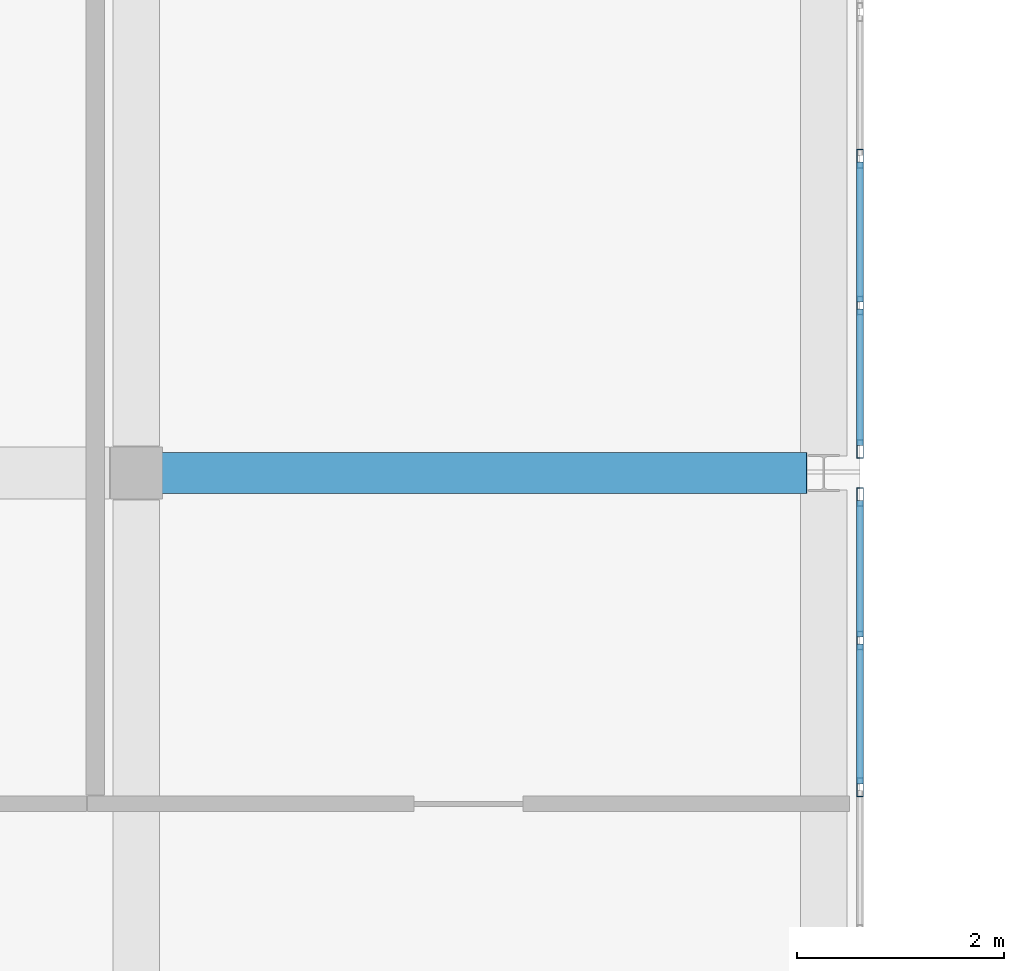
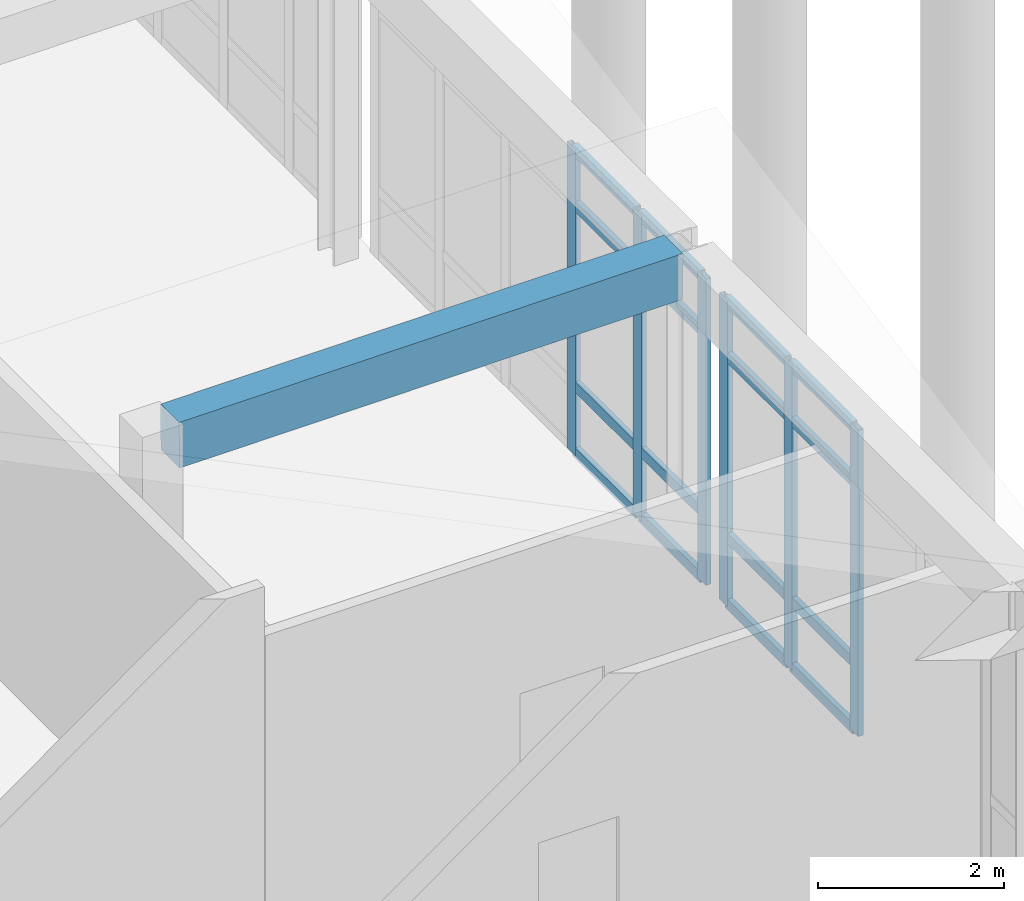
# One storey, part 106 of 173: 22 members, 1 beam, 2 elements without a shape of their own.
"""IFC4 building model written with IfcOpenShell, lengths in metres."""

from ifc_helpers import new_model, si_unit, direction, frame, origin, origin_2d, place, context, subcontext, project, spatial, rectangle, hollow_rectangle, extrude, material, layer, layer_set, material_profile, profile_set, type_object, element, aggregate, save


model = new_model("IFC4")

# Units and contexts
model_context = context("Model", 3, precision=1e-05, world=origin(), true_north=direction((0.0, 1.0)))
body_context = subcontext(model_context, "Body", "Model", "MODEL_VIEW")
ifc_project = project(units=[si_unit("LENGTHUNIT", "METRE"), si_unit("AREAUNIT", "SQUARE_METRE"), si_unit("VOLUMEUNIT", "CUBIC_METRE"), si_unit("PLANEANGLEUNIT", "RADIAN"), si_unit("MASSUNIT", "GRAM", prefix="KILO")], contexts=[model_context])

# Site, building, storey
site_placement = place(None, origin())
site = spatial("IfcSite", under=ifc_project, at=site_placement, CompositionType="ELEMENT")
building_placement = place(site_placement, origin())
building = spatial("IfcBuilding", under=site, at=building_placement, Name="Mawjan Specialist Oncology Clinic", CompositionType="ELEMENT")
storey_placement = place(building_placement, origin())
storey = spatial("IfcBuildingStorey", under=building, at=storey_placement, Name="L00", CompositionType="ELEMENT", Elevation=0.0)

# Beam
ifc_material_1 = material(Name="Concrete C40/50", Category="concrete")
ifc_material_profile_1 = material_profile(ifc_material_1, rectangle(XDim=0.39990234375, YDim=0.60009765625, at=origin_2d()), Name="RC BM 400x600", Category="concrete")
ifc_profile_set_1 = profile_set([ifc_material_profile_1], Name="Concrete C40/50")
beam_type = type_object("IfcBeamType", Name="BM-400x600", PredefinedType="BEAM", material=ifc_profile_set_1)
beam_placement = place(storey_placement, frame((132.235107421875, 60.800048828125, 4.404052734375), z_axis=(0.999989377, 0.0, 0.004609326035), x_axis=(0.0, 1.0, 0.0)))
element("IfcBeam", 1, at=beam_placement, inside=storey, type_object=beam_type, Name="L00 Roof Framing Beam BM-RF-L00-1251", PredefinedType="BEAM", context=body_context, shape_type="SweptSolid", body=[
    extrude(rectangle(XDim=0.39990234375, YDim=0.60009765625, at=origin_2d()), origin(), (0.0, 0.0, 1.0), 6.25),
])

# Curtain wall, members
ifc_material_2 = material(Name="Unitised spectrally selective aluminium curtain wall", Category="aluminium")
ifc_layer = layer(ifc_material_2, 0.179931640625, Name="Unitised spectrally selective aluminium curtain wall", Category="aluminium")
ifc_layer_set = layer_set([ifc_layer], Name="Unitised spectrally selective aluminium curtain wall")
curtain_wall_type = type_object("IfcCurtainWallType", Name="CW-19", PredefinedType="NOTDEFINED", material=ifc_layer_set)
curtain_wall_1_placement = place(storey_placement, origin())
curtain_wall_1 = element("IfcCurtainWall", 2, at=curtain_wall_1_placement, inside=storey, type_object=curtain_wall_type, Name="L00 Unitised Curtain Wall CW-L00-033", PredefinedType="NOTDEFINED")
ifc_material_3 = material(Name="Thermally broken aluminium 6063-T6", Category="aluminium")
ifc_material_profile_2 = material_profile(ifc_material_3, hollow_rectangle(XDim=0.06494140625, YDim=0.179931640625, WallThickness=0.00390625, at=origin_2d()), Name="ALU MULLION 180x65x4", Category="aluminium")
ifc_profile_set_2 = profile_set([ifc_material_profile_2], Name="Thermally broken aluminium 6063-T6")
member_type_1 = type_object("IfcMemberType", Name="CW-M180", PredefinedType="MULLION", material=ifc_profile_set_2)
member_1_placement = place(storey_placement, frame((139.0, 63.840087890625, 0.0), z_axis=(0.0, 0.0, 1.0), x_axis=(1.0, 0.0, 0.0)))
member_1 = element("IfcMember", 3, at=member_1_placement, type_object=member_type_1, Name="CW-19 mullion 4", PredefinedType="MULLION", context=body_context, shape_type="SweptSolid", body=[
    extrude(hollow_rectangle(XDim=0.06494140625, YDim=0.179931640625, WallThickness=0.00390625, at=origin_2d()), origin(), (0.0, 0.0, 1.0), 4.017822265625),
])
member_2_placement = place(storey_placement, frame((139.0, 62.419921875, 0.0), z_axis=(0.0, 0.0, 1.0), x_axis=(1.0, 0.0, 0.0)))
member_2 = element("IfcMember", 4, at=member_2_placement, type_object=member_type_1, Name="CW-19 mullion 5", PredefinedType="MULLION", context=body_context, shape_type="SweptSolid", body=[
    extrude(hollow_rectangle(XDim=0.06494140625, YDim=0.179931640625, WallThickness=0.00390625, at=origin_2d()), origin(), (0.0, 0.0, 1.0), 4.017822265625),
])
member_3_placement = place(storey_placement, frame((139.0, 61.032470703125, 0.0), z_axis=(0.0, 0.0, 1.0), x_axis=(1.0, 0.0, 0.0)))
member_3 = element("IfcMember", 5, at=member_3_placement, type_object=member_type_1, Name="CW-19 mullion 6", PredefinedType="MULLION", context=body_context, shape_type="SweptSolid", body=[
    extrude(hollow_rectangle(XDim=0.06494140625, YDim=0.179931640625, WallThickness=0.00390625, at=origin_2d()), origin(), (0.0, 0.0, 1.0), 4.017822265625),
])

curtain_wall_2_placement = place(storey_placement, origin())
curtain_wall_2 = element("IfcCurtainWall", 6, at=curtain_wall_2_placement, inside=storey, type_object=curtain_wall_type, Name="L00 Unitised Curtain Wall CW-L00-034", PredefinedType="NOTDEFINED")
member_4_placement = place(storey_placement, frame((139.0, 60.5673828125, 0.0), z_axis=(0.0, 0.0, 1.0), x_axis=(1.0, 0.0, 0.0)))
member_4 = element("IfcMember", 7, at=member_4_placement, type_object=member_type_1, Name="CW-19 mullion 1", PredefinedType="MULLION", context=body_context, shape_type="SweptSolid", body=[
    extrude(hollow_rectangle(XDim=0.06494140625, YDim=0.179931640625, WallThickness=0.00390625, at=origin_2d()), origin(), (0.0, 0.0, 1.0), 4.017822265625),
])
member_5_placement = place(storey_placement, frame((139.0, 59.179931640625, 0.0), z_axis=(0.0, 0.0, 1.0), x_axis=(1.0, 0.0, 0.0)))
member_5 = element("IfcMember", 8, at=member_5_placement, type_object=member_type_1, Name="CW-19 mullion 2", PredefinedType="MULLION", context=body_context, shape_type="SweptSolid", body=[
    extrude(hollow_rectangle(XDim=0.06494140625, YDim=0.179931640625, WallThickness=0.00390625, at=origin_2d()), origin(), (0.0, 0.0, 1.0), 4.017822265625),
])
member_6_placement = place(storey_placement, frame((139.0, 57.760009765625, 0.0), z_axis=(0.0, 0.0, 1.0), x_axis=(1.0, 0.0, 0.0)))
member_6 = element("IfcMember", 9, at=member_6_placement, type_object=member_type_1, Name="CW-19 mullion 3", PredefinedType="MULLION", context=body_context, shape_type="SweptSolid", body=[
    extrude(hollow_rectangle(XDim=0.06494140625, YDim=0.179931640625, WallThickness=0.00390625, at=origin_2d()), origin(), (0.0, 0.0, 1.0), 4.017822265625),
])

# Member
ifc_material_4 = material(Name="Thermally broken aluminium 6063-T6", Category="aluminium")
ifc_material_profile_3 = material_profile(ifc_material_4, hollow_rectangle(XDim=0.06494140625, YDim=0.139892578125, WallThickness=0.00390625, at=origin_2d()), Name="ALU TRANSOM 140x65x4", Category="aluminium")
ifc_profile_set_3 = profile_set([ifc_material_profile_3], Name="Thermally broken aluminium 6063-T6")
member_type_2 = type_object("IfcMemberType", Name="CW-T140", PredefinedType="USERDEFINED", material=ifc_profile_set_3)
member_7_placement = place(storey_placement, frame((139.0, 63.8076171875, 0.032470703125), z_axis=(0.0, -1.0, 0.0), x_axis=(1.0, 0.0, 0.0)))
member_7 = element("IfcMember", 10, at=member_7_placement, type_object=member_type_2, Name="CW-19 transom 4.1", ObjectType="TRANSOM", PredefinedType="USERDEFINED", context=body_context, shape_type="SweptSolid", body=[
    extrude(hollow_rectangle(XDim=0.06494140625, YDim=0.139892578125, WallThickness=0.00390625, at=origin_2d()), origin(), (0.0, 0.0, 1.0), 1.355224609375),
])

member_8_placement = place(storey_placement, frame((139.0, 63.8076171875, 0.89990234375), z_axis=(0.0, -1.0, 0.0), x_axis=(1.0, 0.0, 0.0)))
member_8 = element("IfcMember", 11, at=member_8_placement, type_object=member_type_2, Name="CW-19 transom 4.2", ObjectType="TRANSOM", PredefinedType="USERDEFINED", context=body_context, shape_type="SweptSolid", body=[
    extrude(hollow_rectangle(XDim=0.06494140625, YDim=0.139892578125, WallThickness=0.00390625, at=origin_2d()), origin(), (0.0, 0.0, 1.0), 1.355224609375),
])

member_9_placement = place(storey_placement, frame((139.0, 63.8076171875, 3.267822265625), z_axis=(0.0, -1.0, 0.0), x_axis=(1.0, 0.0, 0.0)))
member_9 = element("IfcMember", 12, at=member_9_placement, type_object=member_type_2, Name="CW-19 transom 4.3", ObjectType="TRANSOM", PredefinedType="USERDEFINED", context=body_context, shape_type="SweptSolid", body=[
    extrude(hollow_rectangle(XDim=0.06494140625, YDim=0.139892578125, WallThickness=0.00390625, at=origin_2d()), origin(), (0.0, 0.0, 1.0), 1.355224609375),
])

member_10_placement = place(storey_placement, frame((139.0, 63.8076171875, 3.9853515625), z_axis=(0.0, -1.0, 0.0), x_axis=(1.0, 0.0, 0.0)))
member_10 = element("IfcMember", 13, at=member_10_placement, type_object=member_type_2, Name="CW-19 transom 4.4", ObjectType="TRANSOM", PredefinedType="USERDEFINED", context=body_context, shape_type="SweptSolid", body=[
    extrude(hollow_rectangle(XDim=0.06494140625, YDim=0.139892578125, WallThickness=0.00390625, at=origin_2d()), origin(), (0.0, 0.0, 1.0), 1.355224609375),
])

member_11_placement = place(storey_placement, frame((139.0, 62.387451171875, 0.032470703125), z_axis=(0.0, -1.0, 0.0), x_axis=(1.0, 0.0, 0.0)))
member_11 = element("IfcMember", 14, at=member_11_placement, type_object=member_type_2, Name="CW-19 transom 5.1", ObjectType="TRANSOM", PredefinedType="USERDEFINED", context=body_context, shape_type="SweptSolid", body=[
    extrude(hollow_rectangle(XDim=0.06494140625, YDim=0.139892578125, WallThickness=0.00390625, at=origin_2d()), origin(), (0.0, 0.0, 1.0), 1.322509765625),
])

member_12_placement = place(storey_placement, frame((139.0, 62.387451171875, 0.89990234375), z_axis=(0.0, -1.0, 0.0), x_axis=(1.0, 0.0, 0.0)))
member_12 = element("IfcMember", 15, at=member_12_placement, type_object=member_type_2, Name="CW-19 transom 5.2", ObjectType="TRANSOM", PredefinedType="USERDEFINED", context=body_context, shape_type="SweptSolid", body=[
    extrude(hollow_rectangle(XDim=0.06494140625, YDim=0.139892578125, WallThickness=0.00390625, at=origin_2d()), origin(), (0.0, 0.0, 1.0), 1.322509765625),
])

member_13_placement = place(storey_placement, frame((139.0, 62.387451171875, 3.267822265625), z_axis=(0.0, -1.0, 0.0), x_axis=(1.0, 0.0, 0.0)))
member_13 = element("IfcMember", 16, at=member_13_placement, type_object=member_type_2, Name="CW-19 transom 5.3", ObjectType="TRANSOM", PredefinedType="USERDEFINED", context=body_context, shape_type="SweptSolid", body=[
    extrude(hollow_rectangle(XDim=0.06494140625, YDim=0.139892578125, WallThickness=0.00390625, at=origin_2d()), origin(), (0.0, 0.0, 1.0), 1.322509765625),
])

member_14_placement = place(storey_placement, frame((139.0, 62.387451171875, 3.9853515625), z_axis=(0.0, -1.0, 0.0), x_axis=(1.0, 0.0, 0.0)))
member_14 = element("IfcMember", 17, at=member_14_placement, type_object=member_type_2, Name="CW-19 transom 5.4", ObjectType="TRANSOM", PredefinedType="USERDEFINED", context=body_context, shape_type="SweptSolid", body=[
    extrude(hollow_rectangle(XDim=0.06494140625, YDim=0.139892578125, WallThickness=0.00390625, at=origin_2d()), origin(), (0.0, 0.0, 1.0), 1.322509765625),
])

aggregate(curtain_wall_1, [member_1, member_2, member_3, member_7, member_8, member_9, member_10, member_11, member_12, member_13, member_14])

member_15_placement = place(storey_placement, frame((139.0, 60.534912109375, 0.032470703125), z_axis=(0.0, -1.0, 0.0), x_axis=(1.0, 0.0, 0.0)))
member_15 = element("IfcMember", 18, at=member_15_placement, type_object=member_type_2, Name="CW-19 transom 1.1", ObjectType="TRANSOM", PredefinedType="USERDEFINED", context=body_context, shape_type="SweptSolid", body=[
    extrude(hollow_rectangle(XDim=0.06494140625, YDim=0.139892578125, WallThickness=0.00390625, at=origin_2d()), origin(), (0.0, 0.0, 1.0), 1.322509765625),
])

member_16_placement = place(storey_placement, frame((139.0, 60.534912109375, 0.89990234375), z_axis=(0.0, -1.0, 0.0), x_axis=(1.0, 0.0, 0.0)))
member_16 = element("IfcMember", 19, at=member_16_placement, type_object=member_type_2, Name="CW-19 transom 1.2", ObjectType="TRANSOM", PredefinedType="USERDEFINED", context=body_context, shape_type="SweptSolid", body=[
    extrude(hollow_rectangle(XDim=0.06494140625, YDim=0.139892578125, WallThickness=0.00390625, at=origin_2d()), origin(), (0.0, 0.0, 1.0), 1.322509765625),
])

member_17_placement = place(storey_placement, frame((139.0, 60.534912109375, 3.267822265625), z_axis=(0.0, -1.0, 0.0), x_axis=(1.0, 0.0, 0.0)))
member_17 = element("IfcMember", 20, at=member_17_placement, type_object=member_type_2, Name="CW-19 transom 1.3", ObjectType="TRANSOM", PredefinedType="USERDEFINED", context=body_context, shape_type="SweptSolid", body=[
    extrude(hollow_rectangle(XDim=0.06494140625, YDim=0.139892578125, WallThickness=0.00390625, at=origin_2d()), origin(), (0.0, 0.0, 1.0), 1.322509765625),
])

member_18_placement = place(storey_placement, frame((139.0, 60.534912109375, 3.9853515625), z_axis=(0.0, -1.0, 0.0), x_axis=(1.0, 0.0, 0.0)))
member_18 = element("IfcMember", 21, at=member_18_placement, type_object=member_type_2, Name="CW-19 transom 1.4", ObjectType="TRANSOM", PredefinedType="USERDEFINED", context=body_context, shape_type="SweptSolid", body=[
    extrude(hollow_rectangle(XDim=0.06494140625, YDim=0.139892578125, WallThickness=0.00390625, at=origin_2d()), origin(), (0.0, 0.0, 1.0), 1.322509765625),
])

member_19_placement = place(storey_placement, frame((139.0, 59.1474609375, 0.032470703125), z_axis=(0.0, -1.0, 0.0), x_axis=(1.0, 0.0, 0.0)))
member_19 = element("IfcMember", 22, at=member_19_placement, type_object=member_type_2, Name="CW-19 transom 2.1", ObjectType="TRANSOM", PredefinedType="USERDEFINED", context=body_context, shape_type="SweptSolid", body=[
    extrude(hollow_rectangle(XDim=0.06494140625, YDim=0.139892578125, WallThickness=0.00390625, at=origin_2d()), origin(), (0.0, 0.0, 1.0), 1.35498046875),
])

member_20_placement = place(storey_placement, frame((139.0, 59.1474609375, 0.89990234375), z_axis=(0.0, -1.0, 0.0), x_axis=(1.0, 0.0, 0.0)))
member_20 = element("IfcMember", 23, at=member_20_placement, type_object=member_type_2, Name="CW-19 transom 2.2", ObjectType="TRANSOM", PredefinedType="USERDEFINED", context=body_context, shape_type="SweptSolid", body=[
    extrude(hollow_rectangle(XDim=0.06494140625, YDim=0.139892578125, WallThickness=0.00390625, at=origin_2d()), origin(), (0.0, 0.0, 1.0), 1.35498046875),
])

member_21_placement = place(storey_placement, frame((139.0, 59.1474609375, 3.267822265625), z_axis=(0.0, -1.0, 0.0), x_axis=(1.0, 0.0, 0.0)))
member_21 = element("IfcMember", 24, at=member_21_placement, type_object=member_type_2, Name="CW-19 transom 2.3", ObjectType="TRANSOM", PredefinedType="USERDEFINED", context=body_context, shape_type="SweptSolid", body=[
    extrude(hollow_rectangle(XDim=0.06494140625, YDim=0.139892578125, WallThickness=0.00390625, at=origin_2d()), origin(), (0.0, 0.0, 1.0), 1.35498046875),
])

member_22_placement = place(storey_placement, frame((139.0, 59.1474609375, 3.9853515625), z_axis=(0.0, -1.0, 0.0), x_axis=(1.0, 0.0, 0.0)))
member_22 = element("IfcMember", 25, at=member_22_placement, type_object=member_type_2, Name="CW-19 transom 2.4", ObjectType="TRANSOM", PredefinedType="USERDEFINED", context=body_context, shape_type="SweptSolid", body=[
    extrude(hollow_rectangle(XDim=0.06494140625, YDim=0.139892578125, WallThickness=0.00390625, at=origin_2d()), origin(), (0.0, 0.0, 1.0), 1.35498046875),
])

aggregate(curtain_wall_2, [member_4, member_5, member_6, member_15, member_16, member_17, member_18, member_19, member_20, member_21, member_22])

save(model, "model.ifc")
